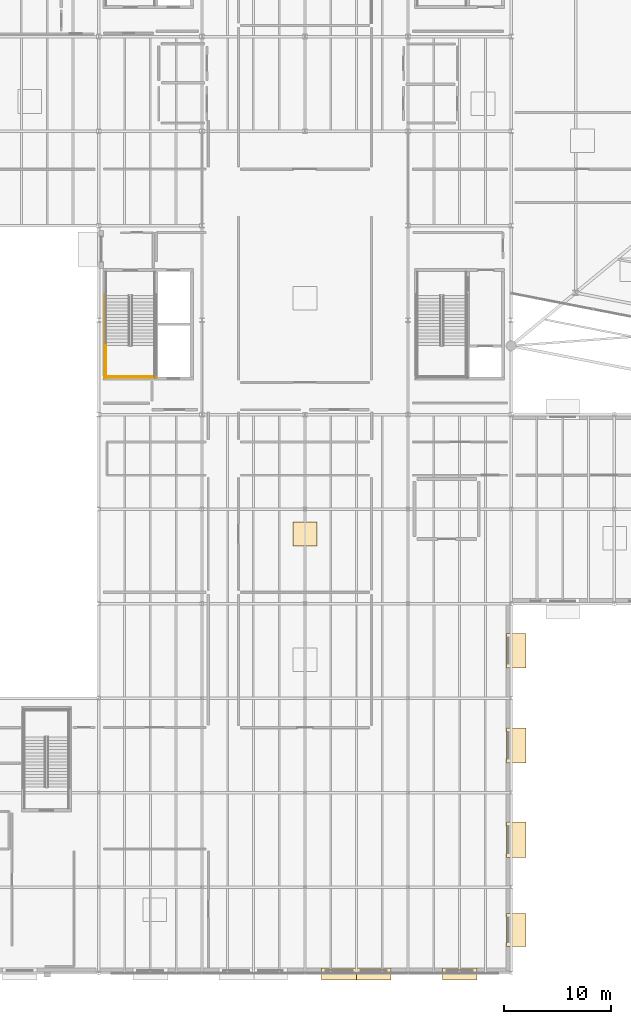
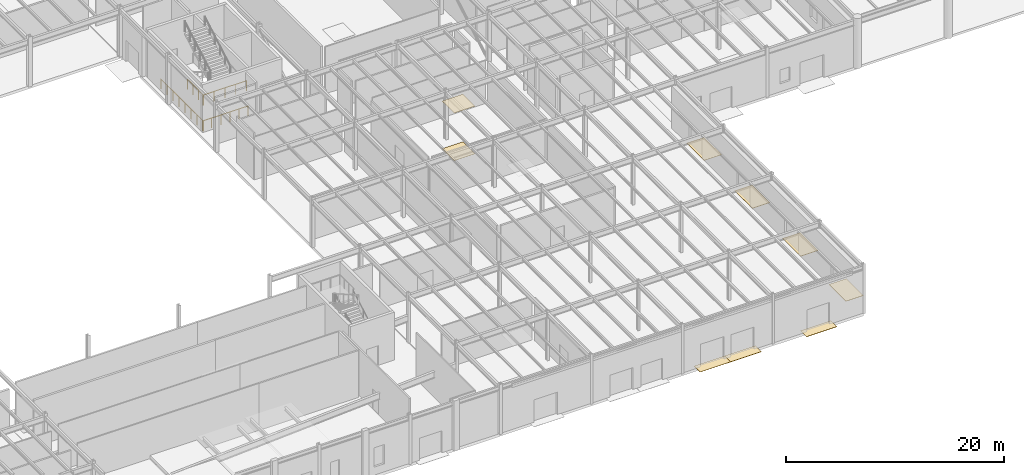
# One storey, part 59 of 70: 9 coverings, 4 railings.
"""IFC4 building model written with IfcOpenShell, lengths in metres."""

from ifc_helpers import new_model, si_unit, direction, frame, origin, origin_2d, place, context, subcontext, project, spatial, rectangle, circle, extrude, material, layer, layer_set, type_object, element, save


model = new_model("IFC4")

# Units and contexts
model_context = context("Model", 3, precision=1e-05, world=origin(), true_north=direction((0.0, 1.0)))
body_context = subcontext(model_context, "Body", "Model", "MODEL_VIEW")
ifc_project = project(units=[si_unit("LENGTHUNIT", "METRE"), si_unit("AREAUNIT", "SQUARE_METRE"), si_unit("VOLUMEUNIT", "CUBIC_METRE"), si_unit("PLANEANGLEUNIT", "RADIAN"), si_unit("MASSUNIT", "GRAM", prefix="KILO")], contexts=[model_context])

# Site, building, storey
site_placement = place(None, origin())
site = spatial("IfcSite", under=ifc_project, at=site_placement, CompositionType="ELEMENT")
building_placement = place(site_placement, origin())
building = spatial("IfcBuilding", under=site, at=building_placement, Name="Sarnbrook Museum", CompositionType="ELEMENT")
storey_placement = place(building_placement, origin())
storey = spatial("IfcBuildingStorey", under=building, at=storey_placement, Name="L00", CompositionType="ELEMENT", Elevation=0.0)

# Coverings
ifc_material_1 = material(Name="Tasmanian Oak Acoustic Timber", Category="wood")
ifc_layer_1 = layer(ifc_material_1, 0.02490234375)
ifc_layer_set_1 = layer_set([ifc_layer_1], Name="Tasmanian Oak Acoustic Timber")
covering_type_1 = type_object("IfcCoveringType", Name="Ceil_Timber25", PredefinedType="CEILING", material=ifc_layer_set_1)
covering_1_placement = place(storey_placement, frame((100.0, 45.68505859375, 5.324951171875), z_axis=(0.0, 0.0, 1.0), x_axis=(1.0, 0.0, 0.0)))
element("IfcCovering", 1, at=covering_1_placement, inside=storey, type_object=covering_type_1, Name="Acoustic Ceiling Baffle Panel L00-07", PredefinedType="CEILING", context=body_context, shape_type="SweptSolid", body=[
    extrude(rectangle(XDim=2.199951171875, YDim=2.199951171875, at=origin_2d()), origin(), (0.0, 0.0, 1.0), 0.02490234375),
])
ifc_layer_2 = layer(ifc_material_1, 0.02197265625)
ifc_layer_set_2 = layer_set([ifc_layer_2], Name="Tasmanian Oak Acoustic Timber")
covering_type_2 = type_object("IfcCoveringType", Name="Floor_Oak22", PredefinedType="FLOORING", material=ifc_layer_set_2)
covering_2_placement = place(storey_placement, frame((100.0, 45.68505859375, 0.0), z_axis=(0.0, 0.0, 1.0), x_axis=(1.0, 0.0, 0.0)))
element("IfcCovering", 2, at=covering_2_placement, inside=storey, type_object=covering_type_2, Name="Gallery Floor Finish Panel L00-07", PredefinedType="FLOORING", context=body_context, shape_type="SweptSolid", body=[
    extrude(rectangle(XDim=2.199951171875, YDim=2.199951171875, at=origin_2d()), origin(), (0.0, 0.0, 1.0), 0.02197265625),
])

# Railings
ifc_material_2 = material(Name="Brushed Stainless Steel Grade 316", Category="steel")
ifc_layer_3 = layer(ifc_material_2, 0.050048828125)
ifc_layer_set_3 = layer_set([ifc_layer_3], Name="Brushed Stainless Steel Grade 316")
railing_type = type_object("IfcRailingType", Name="Guard_Int1120", PredefinedType="BALUSTRADE", material=ifc_layer_set_3)
railing_1_placement = place(storey_placement, frame((81.489990234375, 63.239990234375, 2.800048828125)))
element("IfcRailing", 3, at=railing_1_placement, inside=storey, type_object=railing_type, Name="L00 ST3 stair guard 3", PredefinedType="BALUSTRADE", context=body_context, shape_type="SweptSolid", body=[
    extrude(circle(Radius=0.02392578125, at=origin_2d()), frame((0.0, 0.0, 1.09619140625), z_axis=(0.0, -1.0, 0.0), x_axis=(1.0, 0.0, 0.0)), (0.0, 0.0, 1.0), 2.93994140625),
    extrude(circle(Radius=0.02099609375, at=origin_2d()), origin(), (0.0, 0.0, 1.0), 1.072021484375),
    extrude(circle(Radius=0.02099609375, at=origin_2d()), frame((0.0, -0.97998046875, 0.0)), (0.0, 0.0, 1.0), 1.072021484375),
    extrude(circle(Radius=0.02099609375, at=origin_2d()), frame((0.0, -1.9599609375, 0.0)), (0.0, 0.0, 1.0), 1.072021484375),
    extrude(circle(Radius=0.02099609375, at=origin_2d()), frame((0.0, -2.93994140625, 0.0)), (0.0, 0.0, 1.0), 1.072021484375),
])
railing_2_placement = place(storey_placement, frame((81.43994140625, 60.35009765625, 2.800048828125)))
element("IfcRailing", 4, at=railing_2_placement, inside=storey, type_object=railing_type, Name="L00 ST3 stair guard 5", PredefinedType="BALUSTRADE", context=body_context, shape_type="SweptSolid", body=[
    extrude(circle(Radius=0.02392578125, at=origin_2d()), frame((0.0, 0.0, 1.09619140625), z_axis=(1.0, 0.0, 0.0), x_axis=(0.0, 1.0, 0.0)), (0.0, 0.0, 1.0), 4.6201171875),
    extrude(circle(Radius=0.02099609375, at=origin_2d()), origin(), (0.0, 0.0, 1.0), 1.072021484375),
    extrude(circle(Radius=0.02099609375, at=origin_2d()), frame((1.155029296875, 0.0, 0.0)), (0.0, 0.0, 1.0), 1.072021484375),
    extrude(circle(Radius=0.02099609375, at=origin_2d()), frame((2.31005859375, 0.0, 0.0)), (0.0, 0.0, 1.0), 1.072021484375),
    extrude(circle(Radius=0.02099609375, at=origin_2d()), frame((3.465087890625, 0.0, 0.0)), (0.0, 0.0, 1.0), 1.072021484375),
    extrude(circle(Radius=0.02099609375, at=origin_2d()), frame((4.6201171875, 0.0, 0.0)), (0.0, 0.0, 1.0), 1.072021484375),
])
railing_3_placement = place(storey_placement, frame((81.389892578125, 67.97998046875, 0.0)))
element("IfcRailing", 5, at=railing_3_placement, inside=storey, type_object=railing_type, Name="L00 ST3 stair guard 10", PredefinedType="BALUSTRADE", context=body_context, shape_type="SweptSolid", body=[
    extrude(circle(Radius=0.02392578125, at=origin_2d()), frame((0.0, 0.0, 1.09619140625), z_axis=(0.0, -1.0, 0.0), x_axis=(1.0, 0.0, 0.0)), (0.0, 0.0, 1.0), 7.780029296875),
    extrude(circle(Radius=0.02099609375, at=origin_2d()), origin(), (0.0, 0.0, 1.0), 1.072021484375),
    extrude(circle(Radius=0.02099609375, at=origin_2d()), frame((0.0, -1.111328125, 0.0)), (0.0, 0.0, 1.0), 1.072021484375),
    extrude(circle(Radius=0.02099609375, at=origin_2d()), frame((0.0, -2.222900390625, 0.0)), (0.0, 0.0, 1.0), 1.072021484375),
    extrude(circle(Radius=0.02099609375, at=origin_2d()), frame((0.0, -3.334228515625, 0.0)), (0.0, 0.0, 1.0), 1.072021484375),
    extrude(circle(Radius=0.02099609375, at=origin_2d()), frame((0.0, -4.44580078125, 0.0)), (0.0, 0.0, 1.0), 1.072021484375),
    extrude(circle(Radius=0.02099609375, at=origin_2d()), frame((0.0, -5.55712890625, 0.0)), (0.0, 0.0, 1.0), 1.072021484375),
    extrude(circle(Radius=0.02099609375, at=origin_2d()), frame((0.0, -6.668701171875, 0.0)), (0.0, 0.0, 1.0), 1.072021484375),
    extrude(circle(Radius=0.02099609375, at=origin_2d()), frame((0.0, -7.780029296875, 0.0)), (0.0, 0.0, 1.0), 1.072021484375),
])
railing_4_placement = place(storey_placement, frame((81.340087890625, 60.25, 0.0)))
element("IfcRailing", 6, at=railing_4_placement, inside=storey, type_object=railing_type, Name="L00 ST3 stair guard 12", PredefinedType="BALUSTRADE", context=body_context, shape_type="SweptSolid", body=[
    extrude(circle(Radius=0.02392578125, at=origin_2d()), frame((0.0, 0.0, 1.09619140625), z_axis=(1.0, 0.0, 0.0), x_axis=(0.0, 1.0, 0.0)), (0.0, 0.0, 1.0), 4.81982421875),
    extrude(circle(Radius=0.02099609375, at=origin_2d()), origin(), (0.0, 0.0, 1.0), 1.072021484375),
    extrude(circle(Radius=0.02099609375, at=origin_2d()), frame((0.9638671875, 0.0, 0.0)), (0.0, 0.0, 1.0), 1.072021484375),
    extrude(circle(Radius=0.02099609375, at=origin_2d()), frame((1.927978515625, 0.0, 0.0)), (0.0, 0.0, 1.0), 1.072021484375),
    extrude(circle(Radius=0.02099609375, at=origin_2d()), frame((2.891845703125, 0.0, 0.0)), (0.0, 0.0, 1.0), 1.072021484375),
    extrude(circle(Radius=0.02099609375, at=origin_2d()), frame((3.85595703125, 0.0, 0.0)), (0.0, 0.0, 1.0), 1.072021484375),
    extrude(circle(Radius=0.02099609375, at=origin_2d()), frame((4.81982421875, 0.0, 0.0)), (0.0, 0.0, 1.0), 1.072021484375),
])

# Coverings
ifc_material_3 = material(Name="Victorian Bluestone Ashlar Masonry", Category="masonry")
ifc_layer_4 = layer(ifc_material_3, 0.030029296875)
ifc_layer_set_4 = layer_set([ifc_layer_4], Name="Victorian Bluestone Ashlar Masonry")
covering_type_3 = type_object("IfcCoveringType", Name="Paving_BluestoneApron", PredefinedType="FLOORING", material=ifc_layer_set_4)
covering_3_placement = place(storey_placement, frame((103.199951171875, 4.702392578125, -0.02978515625), z_axis=(0.0, 0.0, 1.0), x_axis=(1.0, 0.0, 0.0)))
element("IfcCovering", 7, at=covering_3_placement, inside=storey, type_object=covering_type_3, Name="Exterior Bluestone Entry Paving 06", PredefinedType="FLOORING", context=body_context, shape_type="SweptSolid", body=[
    extrude(rectangle(XDim=3.300048828125, YDim=1.10498046875, at=origin_2d()), origin(), (0.0, 0.0, 1.0), 0.030029296875),
])
covering_4_placement = place(storey_placement, frame((106.39990234375, 4.702392578125, -0.02978515625), z_axis=(0.0, 0.0, 1.0), x_axis=(1.0, 0.0, 0.0)))
element("IfcCovering", 8, at=covering_4_placement, inside=storey, type_object=covering_type_3, Name="Exterior Bluestone Entry Paving 07", PredefinedType="FLOORING", context=body_context, shape_type="SweptSolid", body=[
    extrude(rectangle(XDim=3.25, YDim=1.10498046875, at=origin_2d()), origin(), (0.0, 0.0, 1.0), 0.030029296875),
])
covering_5_placement = place(storey_placement, frame((114.39990234375, 4.702392578125, -0.02978515625), z_axis=(0.0, 0.0, 1.0), x_axis=(1.0, 0.0, 0.0)))
element("IfcCovering", 9, at=covering_5_placement, inside=storey, type_object=covering_type_3, Name="Exterior Bluestone Entry Paving 08", PredefinedType="FLOORING", context=body_context, shape_type="SweptSolid", body=[
    extrude(rectangle(XDim=3.199951171875, YDim=1.10498046875, at=origin_2d()), origin(), (0.0, 0.0, 1.0), 0.030029296875),
])
covering_6_placement = place(storey_placement, frame((119.669921875, 8.800048828125, -0.02978515625), z_axis=(0.0, 0.0, 1.0), x_axis=(1.0, 0.0, 0.0)))
element("IfcCovering", 10, at=covering_6_placement, inside=storey, type_object=covering_type_3, Name="Exterior Bluestone Entry Paving 09", PredefinedType="FLOORING", context=body_context, shape_type="SweptSolid", body=[
    extrude(rectangle(XDim=1.85009765625, YDim=3.10009765625, at=origin_2d()), origin(), (0.0, 0.0, 1.0), 0.030029296875),
])
covering_7_placement = place(storey_placement, frame((119.669921875, 17.199951171875, -0.02978515625), z_axis=(0.0, 0.0, 1.0), x_axis=(1.0, 0.0, 0.0)))
element("IfcCovering", 11, at=covering_7_placement, inside=storey, type_object=covering_type_3, Name="Exterior Bluestone Entry Paving 10", PredefinedType="FLOORING", context=body_context, shape_type="SweptSolid", body=[
    extrude(rectangle(XDim=1.85009765625, YDim=3.300048828125, at=origin_2d()), origin(), (0.0, 0.0, 1.0), 0.030029296875),
])
covering_8_placement = place(storey_placement, frame((119.669921875, 26.0, -0.02978515625), z_axis=(0.0, 0.0, 1.0), x_axis=(1.0, 0.0, 0.0)))
element("IfcCovering", 12, at=covering_8_placement, inside=storey, type_object=covering_type_3, Name="Exterior Bluestone Entry Paving 11", PredefinedType="FLOORING", context=body_context, shape_type="SweptSolid", body=[
    extrude(rectangle(XDim=1.85009765625, YDim=3.25, at=origin_2d()), origin(), (0.0, 0.0, 1.0), 0.030029296875),
])
covering_9_placement = place(storey_placement, frame((119.669921875, 34.800048828125, -0.02978515625), z_axis=(0.0, 0.0, 1.0), x_axis=(1.0, 0.0, 0.0)))
element("IfcCovering", 13, at=covering_9_placement, inside=storey, type_object=covering_type_3, Name="Exterior Bluestone Entry Paving 12", PredefinedType="FLOORING", context=body_context, shape_type="SweptSolid", body=[
    extrude(rectangle(XDim=1.85009765625, YDim=3.199951171875, at=origin_2d()), origin(), (0.0, 0.0, 1.0), 0.030029296875),
])

save(model, "model.ifc")
